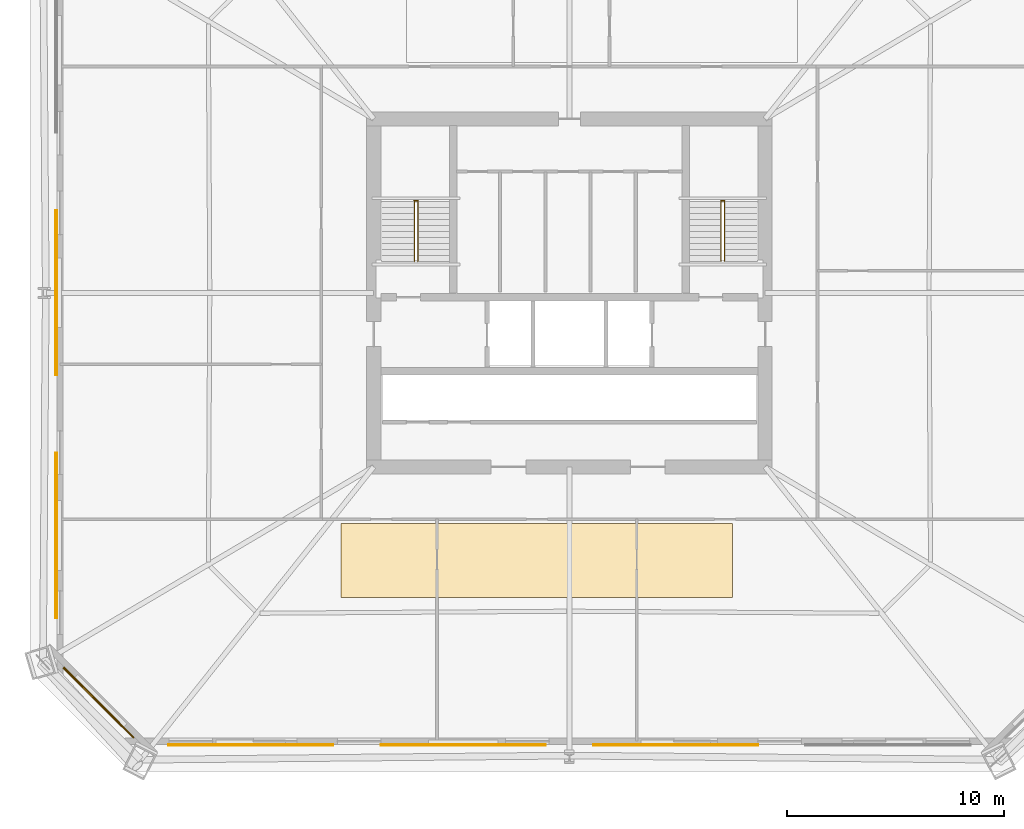
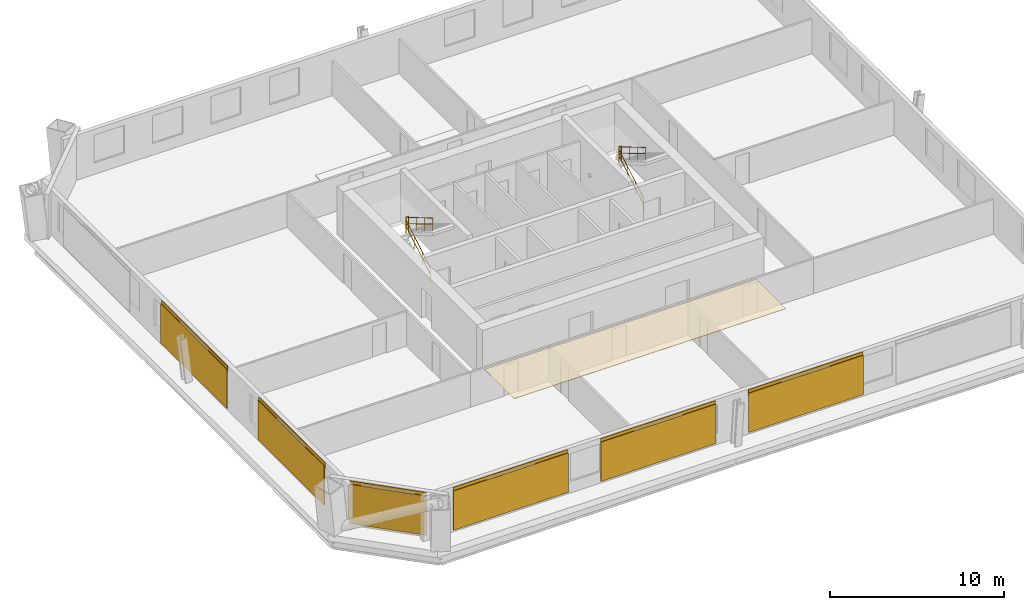
# One storey, part 6 of 7: 7 coverings, 6 railings, 6 shading devices.
"""IFC4 building model written with IfcOpenShell, lengths in metres."""

from ifc_helpers import new_model, si_unit, direction, frame, origin, origin_2d, place, context, subcontext, project, spatial, polyline, rectangle, circle, outline, extrude, material, layer, layer_set, type_object, element, save


model = new_model("IFC4")

# Units and contexts
model_context = context("Model", 3, precision=1e-05, world=origin(), true_north=direction((0.0, 1.0)))
body_context = subcontext(model_context, "Body", "Model", "MODEL_VIEW")
ifc_project = project(units=[si_unit("LENGTHUNIT", "METRE"), si_unit("AREAUNIT", "SQUARE_METRE"), si_unit("VOLUMEUNIT", "CUBIC_METRE"), si_unit("PLANEANGLEUNIT", "RADIAN"), si_unit("MASSUNIT", "GRAM", prefix="KILO")], contexts=[model_context])

# Site, building, storey
site_placement = place(None, origin())
site = spatial("IfcSite", under=ifc_project, at=site_placement, CompositionType="ELEMENT")
building_placement = place(site_placement, origin())
building = spatial("IfcBuilding", under=site, at=building_placement, Name="Caelvoria Tower", CompositionType="ELEMENT")
storey_placement = place(building_placement, frame((0.0, 0.0, 35.199951171875)))
storey = spatial("IfcBuildingStorey", under=building, at=storey_placement, Name="L08", CompositionType="ELEMENT", Elevation=35.199951171875)

# Coverings
ifc_material_1 = material(Name="Acoustic Mineral Fibre Tile", Category="gypsum")
ifc_layer_1 = layer(ifc_material_1, 0.02490234375, Name="Acoustic Mineral Fibre Tile")
ifc_layer_set_1 = layer_set([ifc_layer_1], Name="Mineral-Fibre Acoustic Suspended Ceiling 25 - Acoustic Mineral Fibre Tile")
covering_type_1 = type_object("IfcCoveringType", Name="Mineral-Fibre Acoustic Suspended Ceiling 25", PredefinedType="CEILING", material=ifc_layer_set_1)
covering_1_placement = place(storey_placement, frame((0.0, 0.0, 2.425048828125)))
element("IfcCovering", 1, at=covering_1_placement, inside=storey, type_object=covering_type_1, Name="Suspended Acoustic Ceiling L08", PredefinedType="CEILING", context=body_context, shape_type="SweptSolid", body=[
    extrude(outline(polyline([(35.5, 18.0), (53.5, 18.0), (53.5, 21.39990234375), (35.5, 21.39990234375), (35.5, 18.0)])), origin(), (0.0, 0.0, 1.0), 0.02490234375),
])
ifc_material_2 = material(Name="Perforated Architectural Bronze Cladding Screen", Category="bronze")
ifc_layer_2 = layer(ifc_material_2, 0.0400390625, Name="Perforated Architectural Bronze Cladding Screen")
ifc_layer_set_2 = layer_set([ifc_layer_2], Name="Perforated Bronze Louvre Cladding Band 40 - Perforated Architectural Bronze Cladding Screen")
covering_type_2 = type_object("IfcCoveringType", Name="Perforated Bronze Louvre Cladding Band 40", PredefinedType="CLADDING", material=ifc_layer_set_2)
for number, where, z_axis, x_axis, name in (
    (2, (31.344970703125, 11.22802734375, 2.72998046875), (0.0, 0.0, 1.0), (1.0, 0.0, 0.0), "Perforated Bronze Screen Band L08-E0-00"),
    (3, (41.114990234375, 11.22802734375, 2.72998046875), (0.0, 0.0, 1.0), (1.0, 0.0, 0.0), "Perforated Bronze Screen Band L08-E0-01"),
    (4, (50.885009765625, 11.22802734375, 2.72998046875), (0.0, 0.0, 1.0), (1.0, 0.0, 0.0), "Perforated Bronze Screen Band L08-E0-02"),
    (5, (22.427978515625, 32.0, 2.72998046875), (0.0, 0.0, 1.0), (0.0, -1.0, 0.0), "Perforated Bronze Screen Band L08-E6-01"),
    (6, (22.427978515625, 20.840087890625, 2.72998046875), (0.0, 0.0, 1.0), (0.0, -1.0, 0.0), "Perforated Bronze Screen Band L08-E6-02"),
):
    element("IfcCovering", number, at=place(storey_placement, frame(where, z_axis=z_axis, x_axis=x_axis)), inside=storey, type_object=covering_type_2, Name=name, PredefinedType="CLADDING", context=body_context, shape_type="SweptSolid", body=[
        extrude(rectangle(XDim=7.60009765625, YDim=0.0400390625, at=origin_2d()), origin(), (0.0, 0.0, 1.0), 0.39990234375),
    ])
covering_2_placement = place(storey_placement, frame((24.368408203125, 13.168212890625, 2.72998046875), z_axis=(0.0, 0.0, 1.0), x_axis=(0.707106781187, -0.707106781187, 0.0)))
element("IfcCovering", 7, at=covering_2_placement, inside=storey, type_object=covering_type_2, Name="Perforated Bronze Screen Band L08-E7-00", PredefinedType="CLADDING", context=body_context, shape_type="SweptSolid", body=[
    extrude(rectangle(XDim=4.56298828125, YDim=0.0400390625, at=origin_2d()), origin(), (0.0, 0.0, 1.0), 0.39990234375),
])

# Shading devices
ifc_material_3 = material(Name="Perforated Architectural Bronze Alloy Panel", Category="bronze")
ifc_layer_3 = layer(ifc_material_3, 0.044921875, Name="Perforated Architectural Bronze Alloy Panel")
ifc_layer_set_3 = layer_set([ifc_layer_3], Name="Perforated Bronze Solar Screen Panel SCREEN - Perforated Architectural Bronze Alloy Panel")
shading_device_type = type_object("IfcShadingDeviceType", Name="Perforated Bronze Solar Screen Panel SCREEN", PredefinedType="USERDEFINED", material=ifc_layer_set_3)
for number, where, z_axis, x_axis, name in (
    (8, (31.344970703125, 11.18505859375, 0.16015625), (0.0, 0.0, 1.0), (1.0, 0.0, 0.0), "Perforated Bronze Solar Screen L08-E0-00"),
    (9, (41.114990234375, 11.18505859375, 0.16015625), (0.0, 0.0, 1.0), (1.0, 0.0, 0.0), "Perforated Bronze Solar Screen L08-E0-01"),
    (10, (50.885009765625, 11.18505859375, 0.16015625), (0.0, 0.0, 1.0), (1.0, 0.0, 0.0), "Perforated Bronze Solar Screen L08-E0-02"),
    (11, (22.385009765625, 32.0, 0.16015625), (0.0, 0.0, 1.0), (0.0, -1.0, 0.0), "Perforated Bronze Solar Screen L08-E6-01"),
    (12, (22.385009765625, 20.840087890625, 0.16015625), (0.0, 0.0, 1.0), (0.0, -1.0, 0.0), "Perforated Bronze Solar Screen L08-E6-02"),
):
    element("IfcShadingDevice", number, at=place(storey_placement, frame(where, z_axis=z_axis, x_axis=x_axis)), inside=storey, type_object=shading_device_type, Name=name, ObjectType="SCREEN", PredefinedType="USERDEFINED", context=body_context, shape_type="SweptSolid", body=[
        extrude(rectangle(XDim=7.60009765625, YDim=0.044921875, at=origin_2d()), origin(), (0.0, 0.0, 1.0), 2.75),
    ])
shading_device_placement = place(storey_placement, frame((24.337890625, 13.137939453125, 0.16015625), z_axis=(0.0, 0.0, 1.0), x_axis=(0.707106781187, -0.707106781187, 0.0)))
element("IfcShadingDevice", 13, at=shading_device_placement, inside=storey, type_object=shading_device_type, Name="Perforated Bronze Solar Screen L08-E7-00", ObjectType="SCREEN", PredefinedType="USERDEFINED", context=body_context, shape_type="SweptSolid", body=[
    extrude(rectangle(XDim=4.56298828125, YDim=0.044921875, at=origin_2d()), origin(), (0.0, 0.0, 1.0), 2.75),
])

# Railings
ifc_material_4 = material(Name="Brushed Stainless Steel Tube", Category="steel")
railing_type_1 = type_object("IfcRailingType", Name="Stair Tubular Stainless Handrail 920", PredefinedType="HANDRAIL", material=ifc_material_4)
railing_1_placement = place(storey_placement, frame((38.8701171875, 33.449951171875, 0.16357421875)))
element("IfcRailing", 14, at=railing_1_placement, inside=storey, type_object=railing_type_1, Name="ST-01 Flight 1 Handrail L08", PredefinedType="HANDRAIL", context=body_context, shape_type="SweptSolid", body=[
    extrude(circle(Radius=0.02392578125, at=origin_2d()), frame((0.0, 0.0, 0.89599609375), z_axis=(0.0, 0.859351957796, 0.511384603436), x_axis=(-1.0, 0.0, 0.0)), (0.0, 0.0, 1.0), 3.2001953125),
    extrude(circle(Radius=0.02392578125, at=origin_2d()), frame((0.0, 0.0, 0.4599609375), z_axis=(0.0, 0.859351957796, 0.511384603436), x_axis=(-1.0, 0.0, 0.0)), (0.0, 0.0, 1.0), 3.2001953125),
    extrude(circle(Radius=0.02099609375, at=origin_2d()), origin(), (0.0, 0.0, 1.0), 0.871826171875),
    extrude(circle(Radius=0.02099609375, at=origin_2d()), frame((0.0, 0.916748046875, 0.54541015625)), (0.0, 0.0, 1.0), 0.871826171875),
    extrude(circle(Radius=0.02099609375, at=origin_2d()), frame((0.0, 1.833251953125, 1.091064453125)), (0.0, 0.0, 1.0), 0.871826171875),
    extrude(circle(Radius=0.02099609375, at=origin_2d()), frame((0.0, 2.75, 1.636474609375)), (0.0, 0.0, 1.0), 0.871826171875),
])
railing_2_placement = place(storey_placement, frame((39.030029296875, 36.199951171875, 1.963623046875)))
element("IfcRailing", 15, at=railing_2_placement, inside=storey, type_object=railing_type_1, Name="ST-01 Flight 2 Handrail L08", PredefinedType="HANDRAIL", context=body_context, shape_type="SweptSolid", body=[
    extrude(circle(Radius=0.02392578125, at=origin_2d()), frame((0.0, 0.0, 0.89599609375), z_axis=(0.0, -0.859351957796, 0.511384603436), x_axis=(1.0, 0.0, 0.0)), (0.0, 0.0, 1.0), 3.2001953125),
    extrude(circle(Radius=0.02392578125, at=origin_2d()), frame((0.0, 0.0, 0.4599609375), z_axis=(0.0, -0.859351957796, 0.511384603436), x_axis=(1.0, 0.0, 0.0)), (0.0, 0.0, 1.0), 3.2001953125),
    extrude(circle(Radius=0.02099609375, at=origin_2d()), origin(), (0.0, 0.0, 1.0), 0.871826171875),
    extrude(circle(Radius=0.02099609375, at=origin_2d()), frame((0.0, -0.916748046875, 0.54541015625)), (0.0, 0.0, 1.0), 0.871826171875),
    extrude(circle(Radius=0.02099609375, at=origin_2d()), frame((0.0, -1.833251953125, 1.091064453125)), (0.0, 0.0, 1.0), 0.871826171875),
    extrude(circle(Radius=0.02099609375, at=origin_2d()), frame((0.0, -2.75, 1.636474609375)), (0.0, 0.0, 1.0), 0.871826171875),
])
railing_3_placement = place(storey_placement, frame((52.969970703125, 33.449951171875, 0.16357421875)))
element("IfcRailing", 16, at=railing_3_placement, inside=storey, type_object=railing_type_1, Name="ST-02 Flight 1 Handrail L08", PredefinedType="HANDRAIL", context=body_context, shape_type="SweptSolid", body=[
    extrude(circle(Radius=0.02392578125, at=origin_2d()), frame((0.0, 0.0, 0.89599609375), z_axis=(0.0, 0.859351957796, 0.511384603436), x_axis=(-1.0, 0.0, 0.0)), (0.0, 0.0, 1.0), 3.2001953125),
    extrude(circle(Radius=0.02392578125, at=origin_2d()), frame((0.0, 0.0, 0.4599609375), z_axis=(0.0, 0.859351957796, 0.511384603436), x_axis=(-1.0, 0.0, 0.0)), (0.0, 0.0, 1.0), 3.2001953125),
    extrude(circle(Radius=0.02099609375, at=origin_2d()), origin(), (0.0, 0.0, 1.0), 0.871826171875),
    extrude(circle(Radius=0.02099609375, at=origin_2d()), frame((0.0, 0.916748046875, 0.54541015625)), (0.0, 0.0, 1.0), 0.871826171875),
    extrude(circle(Radius=0.02099609375, at=origin_2d()), frame((0.0, 1.833251953125, 1.091064453125)), (0.0, 0.0, 1.0), 0.871826171875),
    extrude(circle(Radius=0.02099609375, at=origin_2d()), frame((0.0, 2.75, 1.636474609375)), (0.0, 0.0, 1.0), 0.871826171875),
])
railing_4_placement = place(storey_placement, frame((53.1298828125, 36.199951171875, 1.963623046875)))
element("IfcRailing", 17, at=railing_4_placement, inside=storey, type_object=railing_type_1, Name="ST-02 Flight 2 Handrail L08", PredefinedType="HANDRAIL", context=body_context, shape_type="SweptSolid", body=[
    extrude(circle(Radius=0.02392578125, at=origin_2d()), frame((0.0, 0.0, 0.89599609375), z_axis=(0.0, -0.859351957796, 0.511384603436), x_axis=(1.0, 0.0, 0.0)), (0.0, 0.0, 1.0), 3.2001953125),
    extrude(circle(Radius=0.02392578125, at=origin_2d()), frame((0.0, 0.0, 0.4599609375), z_axis=(0.0, -0.859351957796, 0.511384603436), x_axis=(1.0, 0.0, 0.0)), (0.0, 0.0, 1.0), 3.2001953125),
    extrude(circle(Radius=0.02099609375, at=origin_2d()), origin(), (0.0, 0.0, 1.0), 0.871826171875),
    extrude(circle(Radius=0.02099609375, at=origin_2d()), frame((0.0, -0.916748046875, 0.54541015625)), (0.0, 0.0, 1.0), 0.871826171875),
    extrude(circle(Radius=0.02099609375, at=origin_2d()), frame((0.0, -1.833251953125, 1.091064453125)), (0.0, 0.0, 1.0), 0.871826171875),
    extrude(circle(Radius=0.02099609375, at=origin_2d()), frame((0.0, -2.75, 1.636474609375)), (0.0, 0.0, 1.0), 0.871826171875),
])
ifc_material_5 = material(Name="Brushed Stainless Steel Guardrail", Category="steel")
railing_type_2 = type_object("IfcRailingType", Name="Stair Well and Ramp Guardrail 1120", PredefinedType="GUARDRAIL", material=ifc_material_5)
for number, where, name in (
    (18, (38.8701171875, 36.239990234375, 1.800048828125), "ST-01 Half-Landing Well Guard L08"),
    (19, (52.969970703125, 36.239990234375, 1.800048828125), "ST-02 Half-Landing Well Guard L08"),
):
    element("IfcRailing", number, at=place(storey_placement, frame(where)), inside=storey, type_object=railing_type_2, Name=name, PredefinedType="GUARDRAIL", context=body_context, shape_type="SweptSolid", body=[
        extrude(circle(Radius=0.02392578125, at=origin_2d()), frame((0.0, 0.0, 1.09619140625), z_axis=(1.0, 0.0, 0.0), x_axis=(0.0, 1.0, 0.0)), (0.0, 0.0, 1.0), 0.159912109375),
        extrude(circle(Radius=0.02392578125, at=origin_2d()), frame((0.0, 0.0, 0.56005859375), z_axis=(1.0, 0.0, 0.0), x_axis=(0.0, 1.0, 0.0)), (0.0, 0.0, 1.0), 0.159912109375),
        extrude(circle(Radius=0.02099609375, at=origin_2d()), origin(), (0.0, 0.0, 1.0), 1.072021484375),
        extrude(circle(Radius=0.02099609375, at=origin_2d()), frame((0.159912109375, 0.0, 0.0)), (0.0, 0.0, 1.0), 1.072021484375),
    ])

save(model, "model.ifc")
